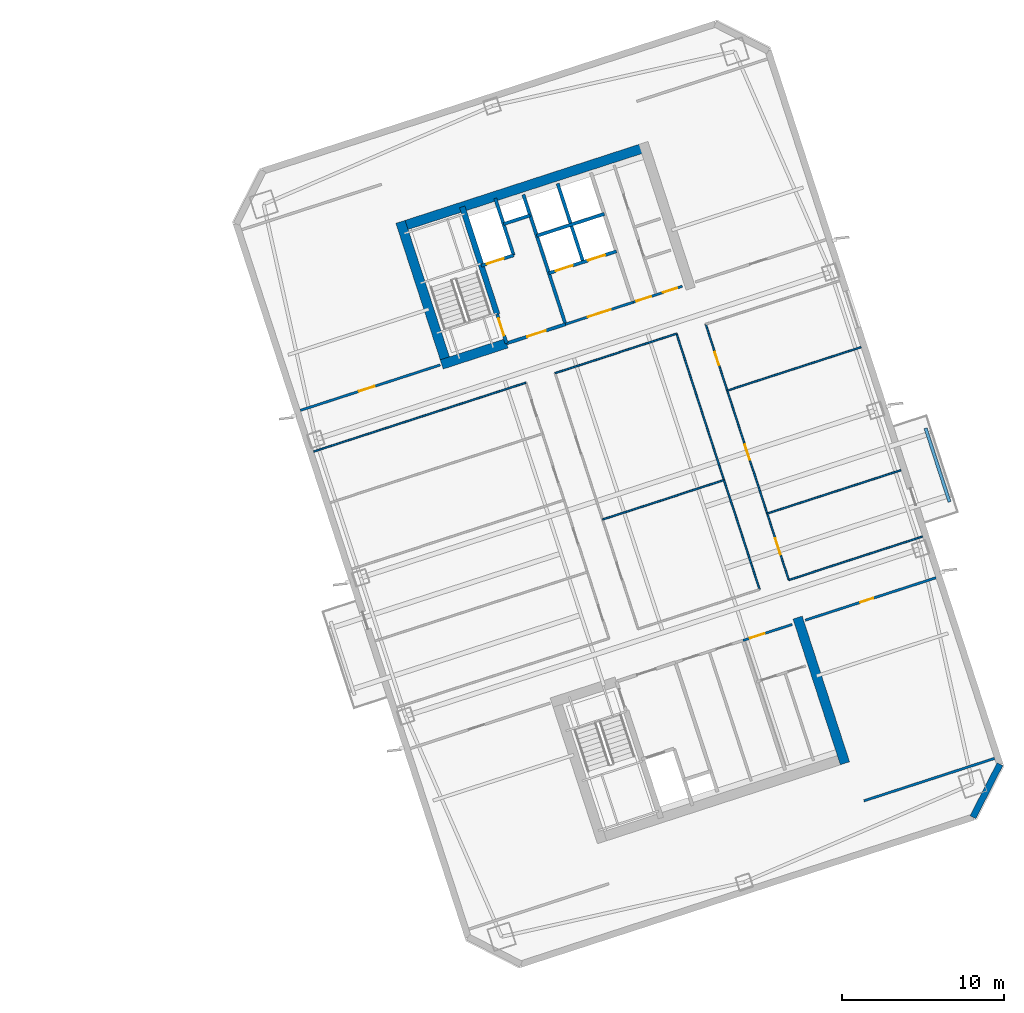
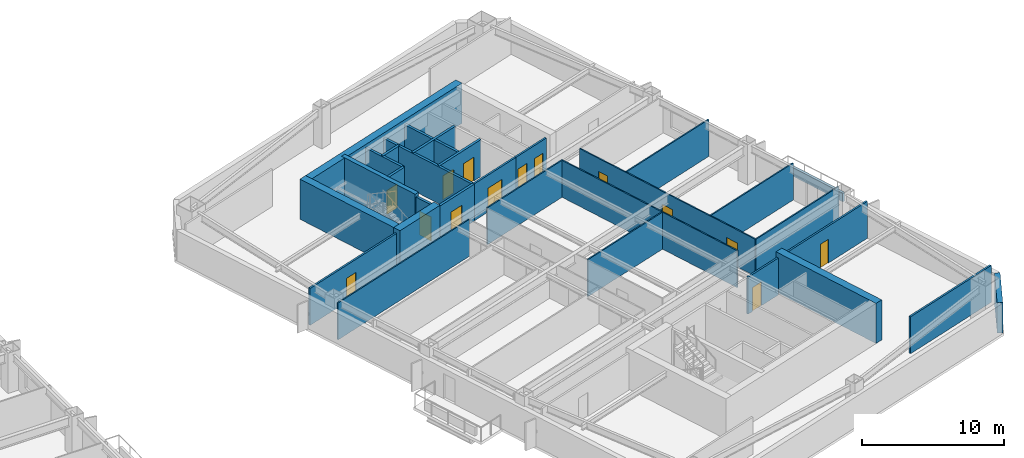
# One storey, part 8 of 16: 30 walls, 14 doors, 14 openings.
"""IFC4 building model written with IfcOpenShell, lengths in metres."""

import ifcopenshell
import ifcopenshell.guid

model = None  # the IFC model being written
_history = None  # IfcOwnerHistory: only IFC2X3 demands one
_inside = {}  # id of a spatial element -> (the spatial element, [elements in it])
_under = {}  # id of a project, library or spatial element -> (it, [spatial elements below it])
_declared = {}  # id of a project -> (the project, [libraries it declares])
_typed = {}  # id of a type object -> (the type object, [elements of that type])
_made_of = {}  # id of a material, layer set ... -> (it, [elements and type objects made of it])


def new_model(schema):
    """Start an empty IFC model of exactly this schema.

    Asked for "IFC4X3", IfcOpenShell would pick the latest addendum, in which some entities
    have other attributes; the version numbers below select the first issue.
    IFC2X3 requires an IfcOwnerHistory on every rooted entity: one is made here for all.
    """
    global model, _history
    if schema == "IFC4X3":
        model = ifcopenshell.file(schema_version=(4, 3, 0, 0))
    else:
        model = ifcopenshell.file(schema=schema)
    _inside.clear()
    _under.clear()
    _declared.clear()
    _typed.clear()
    _made_of.clear()
    _history = None
    if model.schema == "IFC2X3":
        org = make("IfcOrganization", Name="unknown")
        user = make(
            "IfcPersonAndOrganization",
            ThePerson=make("IfcPerson", FamilyName="unknown"),
            TheOrganization=org,
        )
        app = make(
            "IfcApplication",
            ApplicationDeveloper=org,
            Version="unknown",
            ApplicationFullName="unknown",
            ApplicationIdentifier="unknown",
        )
        _history = make(
            "IfcOwnerHistory",
            OwningUser=user,
            OwningApplication=app,
            ChangeAction="ADDED",
            CreationDate=0,
        )
    return model


def make(cls, **values):
    """One entity of the class cls with the attributes given. An attribute that is None is left unset."""
    return model.create_entity(
        cls, **{name: value for name, value in values.items() if value is not None}
    )


def rooted(cls, **values):
    """An entity with a GlobalId (a new one), such as an element, a storey or a relation."""
    return make(cls, GlobalId=ifcopenshell.guid.new(), OwnerHistory=_history, **values)


def si_unit(unit_type, name, prefix=None):
    """IfcSIUnit, for example si_unit("LENGTHUNIT", "METRE", prefix="MILLI")."""
    return make("IfcSIUnit", UnitType=unit_type, Prefix=prefix, Name=name)


def assignment(units):
    """IfcUnitAssignment: the units of a project."""
    return None if units is None else make("IfcUnitAssignment", Units=units)


def point(xyz):
    """IfcCartesianPoint."""
    return None if xyz is None else make("IfcCartesianPoint", Coordinates=xyz)


def direction(xyz):
    """IfcDirection."""
    return None if xyz is None else make("IfcDirection", DirectionRatios=xyz)


def frame(location, z_axis=None, x_axis=None):
    """IfcAxis2Placement3D, a coordinate frame: its origin and axes. An axis left out is left unset."""
    return make(
        "IfcAxis2Placement3D",
        Location=point(location),
        Axis=direction(z_axis),
        RefDirection=direction(x_axis),
    )


def frame_2d(location, x_axis=None):
    """IfcAxis2Placement2D, a coordinate frame in the plane: its origin and x axis."""
    return make(
        "IfcAxis2Placement2D", Location=point(location), RefDirection=direction(x_axis)
    )


def origin():
    """The frame at (0, 0, 0) with its axes left unset."""
    return frame((0.0, 0.0, 0.0))


def place(relative_to, where):
    """IfcLocalPlacement: puts the frame where relative to a parent placement (None: the world)."""
    return make(
        "IfcLocalPlacement", PlacementRelTo=relative_to, RelativePlacement=where
    )


def context(
    kind, dimensions, precision=None, world=None, true_north=None, identifier=None
):
    """IfcGeometricRepresentationContext, for example the 3D "Model" context."""
    return make(
        "IfcGeometricRepresentationContext",
        ContextIdentifier=identifier,
        ContextType=kind,
        CoordinateSpaceDimension=dimensions,
        Precision=precision,
        WorldCoordinateSystem=world,
        TrueNorth=true_north,
    )


def subcontext(parent, identifier, kind, view, scale=None):
    """IfcGeometricRepresentationSubContext, for example "Body" below "Model"."""
    return make(
        "IfcGeometricRepresentationSubContext",
        ContextIdentifier=identifier,
        ContextType=kind,
        ParentContext=parent,
        TargetScale=scale,
        TargetView=view,
    )


def project(units=None, contexts=None):
    """IfcProject with its units and contexts."""
    return rooted(
        "IfcProject",
        Name="project",
        RepresentationContexts=contexts,
        UnitsInContext=assignment(units),
    )


def spatial(cls, under=None, at=None, **own):
    """A site, building, storey or space (cls), placed at a placement, below another one or the project."""
    s = rooted(cls, ObjectPlacement=at, **own)
    if under is not None:
        _under.setdefault(under.id(), (under, []))[1].append(s)
    return s


def profile(cls, at=None, kind="AREA", **sizes):
    """A parametric profile (cls). Its sizes go by their IFC names, for example OverallWidth=200.0."""
    return make(cls, ProfileType=kind, Position=at, **sizes)


def rectangle(**sizes):
    """IfcRectangleProfileDef."""
    return profile("IfcRectangleProfileDef", **sizes)


def extrude(swept, where, along, depth):
    """IfcExtrudedAreaSolid: the profile swept, set in the frame where, extruded along a direction by depth."""
    return make(
        "IfcExtrudedAreaSolid",
        SweptArea=swept,
        Position=where,
        ExtrudedDirection=direction(along),
        Depth=depth,
    )


def shape(context_of_items, identifier, shape_type, items):
    """IfcShapeRepresentation: the items that make up one representation, for example the "Body"."""
    return make(
        "IfcShapeRepresentation",
        ContextOfItems=context_of_items,
        RepresentationIdentifier=identifier,
        RepresentationType=shape_type,
        Items=items,
    )


def material(Name=None, Category=None):
    """IfcMaterial."""
    return make("IfcMaterial", Name=Name, Category=Category)


def layer(
    of_material, thickness, ventilated=None, Name=None, Category=None, Priority=None
):
    """IfcMaterialLayer: one layer of a wall or slab, of a material (None: an air gap)."""
    return make(
        "IfcMaterialLayer",
        Material=of_material,
        LayerThickness=thickness,
        IsVentilated=ventilated,
        Name=Name,
        Category=Category,
        Priority=Priority,
    )


def layer_set(layers, Name=None):
    """IfcMaterialLayerSet."""
    return make("IfcMaterialLayerSet", MaterialLayers=layers, LayerSetName=Name)


def made_of(thing, what):
    """Note that an element or type object is made of a material, layer set ...; save() writes the relation."""
    if what is not None:
        _made_of.setdefault(what.id(), (what, []))[1].append(thing)
    return thing


def type_object(cls, material=None, **own):
    """A type object (cls), such as IfcWallType, which elements share."""
    return made_of(rooted(cls, **own), material)


def element(
    cls,
    number,
    at=None,
    inside=None,
    cuts=None,
    type_object=None,
    material=None,
    context=None,
    identifier="Body",
    shape_type=None,
    held_by="IfcProductDefinitionShape",
    body=None,
    shapes=None,
    **own,
):
    """One element of the class cls, such as IfcWall. Its Tag is "e" and its number.

    at: its placement. inside: the storey or other place that contains it. cuts: it is an
    opening in that element (IfcRelVoidsElement). A single representation is given by context,
    identifier, shape_type and body (its items); several are given by shapes. held_by: the class
    of the entity that holds the representations. save() writes the other relations.
    """
    e = rooted(cls, Tag="e%d" % number, ObjectPlacement=at, **own)
    if body is not None:
        shapes = [shape(context, identifier, shape_type, body)]
    if shapes is not None:
        e.Representation = make(held_by, Representations=shapes)
    if inside is not None:
        _inside.setdefault(inside.id(), (inside, []))[1].append(e)
    if cuts is not None:
        rooted(
            "IfcRelVoidsElement", RelatingBuildingElement=cuts, RelatedOpeningElement=e
        )
    if type_object is not None:
        _typed.setdefault(type_object.id(), (type_object, []))[1].append(e)
    return made_of(e, material)


def fill(opening, filler):
    """IfcRelFillsElement: the door or window that sits in an opening."""
    return rooted(
        "IfcRelFillsElement",
        RelatingOpeningElement=opening,
        RelatedBuildingElement=filler,
    )


def aggregate(whole, parts):
    """IfcRelAggregates: a whole, such as a stair, and the parts it consists of."""
    return rooted("IfcRelAggregates", RelatingObject=whole, RelatedObjects=parts)


def save(model, path):
    """Write the relations noted so far, then the file.

    IfcRelAggregates (storeys below a building ...), IfcRelContainedInSpatialStructure (elements
    in a storey), IfcRelDefinesByType, IfcRelAssociatesMaterial and IfcRelDeclares: one each for
    every whole, place, type object, material and project.
    """
    for whole, parts in _under.values():
        aggregate(whole, parts)
    for where, things in _inside.values():
        rooted(
            "IfcRelContainedInSpatialStructure",
            RelatedElements=things,
            RelatingStructure=where,
        )
    for kind, things in _typed.values():
        rooted("IfcRelDefinesByType", RelatedObjects=things, RelatingType=kind)
    for what, things in _made_of.values():
        rooted("IfcRelAssociatesMaterial", RelatedObjects=things, RelatingMaterial=what)
    for by, libraries in _declared.values():
        rooted("IfcRelDeclares", RelatingContext=by, RelatedDefinitions=libraries)
    model.write(path)


model = new_model("IFC4")

# Units and contexts
model_context = context("Model", 3, precision=1e-05, world=origin(), true_north=direction((0.0, 1.0)))
body_context = subcontext(model_context, "Body", "Model", "MODEL_VIEW")
ifc_project = project(units=[si_unit("LENGTHUNIT", "METRE"), si_unit("AREAUNIT", "SQUARE_METRE"), si_unit("VOLUMEUNIT", "CUBIC_METRE"), si_unit("PLANEANGLEUNIT", "RADIAN"), si_unit("MASSUNIT", "GRAM", prefix="KILO")], contexts=[model_context])

# Site, building, storey
site_placement = place(None, origin())
site = spatial("IfcSite", under=ifc_project, at=site_placement, CompositionType="ELEMENT")
building_placement = place(site_placement, origin())
building = spatial("IfcBuilding", under=site, at=building_placement, Name="Qiaolan Cultural Towers", CompositionType="ELEMENT")
storey_placement = place(building_placement, frame((0.0, 0.0, 110.39990234375)))
storey = spatial("IfcBuildingStorey", under=building, at=storey_placement, Name="L28", CompositionType="ELEMENT", Elevation=110.39990234375)

# Walls
ifc_material_1 = material(Name="Concrete C50", Category="concrete")
ifc_layer_1 = layer(ifc_material_1, 0.35009765625)
ifc_layer_set_1 = layer_set([ifc_layer_1], Name="Concrete C50")
wall_type_1 = type_object("IfcWallType", Name="WL-CORE-350", PredefinedType="SHEAR", material=ifc_layer_set_1)
wall_1_placement = place(storey_placement, frame((82.513671875, 45.13134765625, 0.0), z_axis=(0.0, 0.0, 1.0), x_axis=(-0.308988790936, 0.951065679686, 0.0)))
element("IfcWall", 1, at=wall_1_placement, inside=storey, type_object=wall_type_1, Name="L28 T2-CN Stair Core Dividing Web", PredefinedType="SHEAR", context=body_context, shape_type="SweptSolid", body=[
    extrude(rectangle(XDim=6.97998046875, YDim=0.35009765625, at=frame_2d((3.489990234375, 0.0))), origin(), (0.0, 0.0, 1.0), 3.4501953125),
])
ifc_material_2 = material(Name="Concrete C55", Category="concrete")
ifc_layer_2 = layer(ifc_material_2, 0.60009765625)
ifc_layer_set_2 = layer_set([ifc_layer_2], Name="Concrete C55")
wall_type_2 = type_object("IfcWallType", Name="WL-CORE-600", PredefinedType="SHEAR", material=ifc_layer_set_2)
wall_2_placement = place(storey_placement, frame((101.105224609375, 26.357666015625, 0.0), z_axis=(0.0, 0.0, 1.0), x_axis=(0.309010370028, -0.95105866865, 0.0)))
element("IfcWall", 2, at=wall_2_placement, inside=storey, type_object=wall_type_2, Name="L28 T2-CS East Core Shear Wall", PredefinedType="SHEAR", context=body_context, shape_type="SweptSolid", body=[
    extrude(rectangle(XDim=9.47998046875, YDim=0.60009765625, at=frame_2d((4.739990234375, 0.0))), origin(), (0.0, 0.0, 1.0), 3.4501953125),
])
wall_3_placement = place(storey_placement, frame((76.343505859375, 50.4658203125, 0.0), z_axis=(0.0, 0.0, 1.0), x_axis=(0.951055727519, 0.309019421968, 0.0)))
element("IfcWall", 3, at=wall_3_placement, inside=storey, type_object=wall_type_2, Name="L28 T2-CN Outer Core Shear Wall", PredefinedType="SHEAR", context=body_context, shape_type="SweptSolid", body=[
    extrude(rectangle(XDim=16.39990234375, YDim=0.60009765625, at=frame_2d((8.199951171875, 0.0))), origin(), (0.0, 0.0, 1.0), 3.4501953125),
])
wall_4_placement = place(storey_placement, frame((79.465576171875, 41.827880859375, 0.0), z_axis=(0.0, 0.0, 1.0), x_axis=(-0.309041232772, 0.951048640421, 0.0)))
element("IfcWall", 4, at=wall_4_placement, inside=storey, type_object=wall_type_2, Name="L28 T2-CN West Core Shear Wall", PredefinedType="SHEAR", context=body_context, shape_type="SweptSolid", body=[
    extrude(rectangle(XDim=9.47998046875, YDim=0.60009765625, at=frame_2d((4.739990234375, 0.0))), origin(), (0.0, 0.0, 1.0), 3.4501953125),
])
wall_5_placement = place(storey_placement, frame((79.08740234375, 42.0205078125, 0.0), z_axis=(0.0, 0.0, 1.0), x_axis=(0.951062550203, 0.3089984233, 0.0)))
element("IfcWall", 5, at=wall_5_placement, inside=storey, type_object=wall_type_2, Name="L28 T2-CN Stair Front Shear Wall", PredefinedType="SHEAR", context=body_context, shape_type="SweptSolid", body=[
    extrude(rectangle(XDim=4.219970703125, YDim=0.60009765625, at=frame_2d((2.10986328125, 0.0))), origin(), (0.0, 0.0, 1.0), 3.4501953125),
])
ifc_material_3 = material(Name="Precast Concrete C50 Honed Stone Pier", Category="masonry")
ifc_layer_3 = layer(ifc_material_3, 0.39990234375)
ifc_layer_set_3 = layer_set([ifc_layer_3], Name="Precast Concrete C50 Honed Stone Pier")
wall_type_3 = type_object("IfcWallType", Name="WL-EXT-PIER-400", PredefinedType="SOLIDWALL", material=ifc_layer_set_3)
wall_6_placement = place(storey_placement, frame((113.62255859375, 17.281494140625, 0.0), z_axis=(0.0, 0.0, 1.0), x_axis=(-0.454026238093, -0.890988313685, 0.0)))
element("IfcWall", 6, at=wall_6_placement, inside=storey, type_object=wall_type_3, Name="L28 East Tower Precast Pier Facade Wall F6", PredefinedType="SOLIDWALL", context=body_context, shape_type="SweptSolid", body=[
    extrude(rectangle(XDim=3.677001953125, YDim=0.39990234375, at=frame_2d((1.83837890625, 0.0))), origin(), (0.0, 0.0, 1.0), 2.610107421875),
])

# Wall, opening, door
ifc_material_4 = material(Name="Concrete C35 Fire Wall", Category="concrete")
ifc_layer_4 = layer(ifc_material_4, 0.199951171875)
ifc_layer_set_4 = layer_set([ifc_layer_4], Name="Concrete C35 Fire Wall")
wall_type_4 = type_object("IfcWallType", Name="WL-FIRE-200", PredefinedType="PARTITIONING", material=ifc_layer_set_4)
wall_7_placement = place(storey_placement, frame((83.100830078125, 43.324462890625, 0.0), z_axis=(0.0, 0.0, 1.0), x_axis=(-0.309048298632, 0.951046344356, 0.0)))
wall_7 = element("IfcWall", 7, at=wall_7_placement, inside=storey, type_object=wall_type_4, Name="L28 T2-CN Smokeproof Stair Entry Wall", PredefinedType="PARTITIONING", context=body_context, shape_type="SweptSolid", body=[
    extrude(rectangle(XDim=1.89990234375, YDim=0.199951171875, at=frame_2d((0.949951171875, 0.0))), origin(), (0.0, 0.0, 1.0), 3.175048828125),
])
opening_1_placement = place(wall_7_placement, frame((0.52001953125, 0.0, 0.0)))
opening_1 = element("IfcOpeningElement", 8, at=opening_1_placement, cuts=wall_7, Name="Opening FD-04", PredefinedType="OPENING", context=body_context, shape_type="SweptSolid", body=[
    extrude(rectangle(XDim=1.10009765625, YDim=2.050048828125, at=frame_2d((0.550048828125, 1.02490234375))), frame((0.0, 0.10986328125, 0.0), z_axis=(0.0, -1.0, 0.0), x_axis=(1.0, 0.0, 0.0)), (0.0, 0.0, 1.0), 0.219970703125),
])
ifc_material_5 = material(Name="Galvanized Steel Command Fire Door", Category="steel")
door_type_1 = type_object("IfcDoorType", Name="DR-FD90-1100", OperationType="NOTDEFINED", PredefinedType="DOOR", material=ifc_material_5)
door_1_placement = place(opening_1_placement, origin())
door_1 = element("IfcDoor", 9, at=door_1_placement, inside=storey, type_object=door_type_1, Name="L28 ST-E2 Smokeproof Stair Fire Door", OperationType="SINGLE_SWING_LEFT", OverallHeight=2.050048828125, OverallWidth=1.10009765625, PredefinedType="DOOR", context=body_context, shape_type="SweptSolid", body=[
    extrude(rectangle(XDim=1.10009765625, YDim=2.050048828125, at=frame_2d((0.550048828125, 1.02490234375))), frame((0.0, 0.02490234375, 0.0), z_axis=(0.0, -1.0, 0.0), x_axis=(1.0, 0.0, 0.0)), (0.0, 0.0, 1.0), 0.050048828125),
])
fill(opening_1, door_1)

# Wall
wall_8_placement = place(storey_placement, frame((86.743408203125, 44.508056640625, 0.0), z_axis=(0.0, 0.0, 1.0), x_axis=(-0.309016001439, 0.951056838919, 0.0)))
element("IfcWall", 10, at=wall_8_placement, inside=storey, type_object=wall_type_4, Name="L28 T2-CN Firefighting Zone Wall", PredefinedType="PARTITIONING", context=body_context, shape_type="SweptSolid", body=[
    extrude(rectangle(XDim=8.429931640625, YDim=0.199951171875, at=frame_2d((4.21484375, 0.0))), origin(), (0.0, 0.0, 1.0), 3.175048828125),
])

# Wall, opening, door
wall_9_placement = place(storey_placement, frame((83.100830078125, 43.324462890625, 0.0), z_axis=(0.0, 0.0, 1.0), x_axis=(0.951052804469, 0.309028417967, 0.0)))
wall_9 = element("IfcWall", 11, at=wall_9_placement, inside=storey, type_object=wall_type_4, Name="L28 T2-CN Firefighting Lobby Front Wall", PredefinedType="PARTITIONING", context=body_context, shape_type="SweptSolid", body=[
    extrude(rectangle(XDim=3.830078125, YDim=0.199951171875, at=frame_2d((1.9150390625, 0.0))), origin(), (0.0, 0.0, 1.0), 3.175048828125),
])
opening_2_placement = place(wall_9_placement, frame((1.35009765625, 0.0, 0.0)))
opening_2 = element("IfcOpeningElement", 12, at=opening_2_placement, cuts=wall_9, Name="Opening FD-03", PredefinedType="OPENING", context=body_context, shape_type="SweptSolid", body=[
    extrude(rectangle(XDim=1.199951171875, YDim=2.050048828125, at=frame_2d((0.60009765625, 1.02490234375))), frame((0.0, 0.10986328125, 0.0), z_axis=(0.0, -1.0, 0.0), x_axis=(1.0, 0.0, 0.0)), (0.0, 0.0, 1.0), 0.219970703125),
])
ifc_material_6 = material(Name="Galvanized Steel Smokeproof Lobby Fire Door", Category="steel")
door_type_2 = type_object("IfcDoorType", Name="DR-FD90-1200", OperationType="NOTDEFINED", PredefinedType="DOOR", material=ifc_material_6)
door_2_placement = place(opening_2_placement, origin())
door_2 = element("IfcDoor", 13, at=door_2_placement, inside=storey, type_object=door_type_2, Name="L28 FFL-E2 Firefighting Lobby Fire Door", OperationType="SINGLE_SWING_LEFT", OverallHeight=2.050048828125, OverallWidth=1.199951171875, PredefinedType="DOOR", context=body_context, shape_type="SweptSolid", body=[
    extrude(rectangle(XDim=1.199951171875, YDim=2.050048828125, at=frame_2d((0.60009765625, 1.02490234375))), frame((0.0, 0.02490234375, 0.0), z_axis=(0.0, -1.0, 0.0), x_axis=(1.0, 0.0, 0.0)), (0.0, 0.0, 1.0), 0.050048828125),
])
fill(opening_2, door_2)

wall_10_placement = place(storey_placement, frame((81.540283203125, 48.127197265625, 0.0), z_axis=(0.0, 0.0, 1.0), x_axis=(0.951062257173, 0.308999325213, 0.0)))
wall_10 = element("IfcWall", 14, at=wall_10_placement, inside=storey, type_object=wall_type_4, Name="L28 T2-CN Firefighting Shaft Front Wall", PredefinedType="PARTITIONING", context=body_context, shape_type="SweptSolid", body=[
    extrude(rectangle(XDim=2.10009765625, YDim=0.199951171875, at=frame_2d((1.050048828125, 0.0))), origin(), (0.0, 0.0, 1.0), 3.175048828125),
])
opening_3_placement = place(wall_10_placement, frame((0.35009765625, 0.0, 0.0)))
opening_3 = element("IfcOpeningElement", 15, at=opening_3_placement, cuts=wall_10, Name="Opening LD-01", PredefinedType="OPENING", context=body_context, shape_type="SweptSolid", body=[
    extrude(rectangle(XDim=1.10009765625, YDim=2.050048828125, at=frame_2d((0.550048828125, 1.02490234375))), frame((0.0, 0.10986328125, 0.0), z_axis=(0.0, -1.0, 0.0), x_axis=(1.0, 0.0, 0.0)), (0.0, 0.0, 1.0), 0.219970703125),
])
ifc_material_7 = material(Name="Brushed Stainless Steel S30408 Centre-Parting Lift Landing Door", Category="steel")
door_type_3 = type_object("IfcDoorType", Name="DR-LIFT-1100", OperationType="NOTDEFINED", PredefinedType="DOOR", material=ifc_material_7)
door_3_placement = place(opening_3_placement, origin())
door_3 = element("IfcDoor", 16, at=door_3_placement, inside=storey, type_object=door_type_3, Name="L28 FFL-E2 Firefighting Lift Landing Door", OperationType="DOUBLE_DOOR_SLIDING", OverallHeight=2.050048828125, OverallWidth=1.10009765625, PredefinedType="DOOR", context=body_context, shape_type="SweptSolid", body=[
    extrude(rectangle(XDim=1.10009765625, YDim=2.050048828125, at=frame_2d((0.550048828125, 1.02490234375))), frame((0.0, 0.02490234375, 0.0), z_axis=(0.0, -1.0, 0.0), x_axis=(1.0, 0.0, 0.0)), (0.0, 0.0, 1.0), 0.050048828125),
])
fill(opening_3, door_3)

# Walls
wall_11_placement = place(storey_placement, frame((83.53759765625, 48.776123046875, 0.0), z_axis=(0.0, 0.0, 1.0), x_axis=(-0.3089935693, 0.951064127245, 0.0)))
element("IfcWall", 17, at=wall_11_placement, inside=storey, type_object=wall_type_4, Name="L28 T2-CN Firefighting Hoistway East Wall", PredefinedType="PARTITIONING", context=body_context, shape_type="SweptSolid", body=[
    extrude(rectangle(XDim=3.7001953125, YDim=0.199951171875, at=frame_2d((1.85009765625, 0.0))), origin(), (0.0, 0.0, 1.0), 3.175048828125),
])
wall_12_placement = place(storey_placement, frame((82.910400390625, 50.706787109375, 0.0), z_axis=(0.0, 0.0, 1.0), x_axis=(0.951041328149, 0.309063734775, 0.0)))
element("IfcWall", 18, at=wall_12_placement, inside=storey, type_object=wall_type_4, Name="L28 T2-CN Pressurization Shaft Front Wall", PredefinedType="PARTITIONING", context=body_context, shape_type="SweptSolid", body=[
    extrude(rectangle(XDim=1.72998046875, YDim=0.199951171875, at=frame_2d((0.864990234375, 0.0))), origin(), (0.0, 0.0, 1.0), 3.175048828125),
])

# Wall, openings, doors
wall_13_placement = place(storey_placement, frame((85.717529296875, 47.66552734375, 0.0), z_axis=(0.0, 0.0, 1.0), x_axis=(0.951058531764, 0.30901079133, 0.0)))
wall_13 = element("IfcWall", 19, at=wall_13_placement, inside=storey, type_object=wall_type_4, Name="L28 T2-CN Passenger Lift Shaft Front Wall", PredefinedType="PARTITIONING", context=body_context, shape_type="SweptSolid", body=[
    extrude(rectangle(XDim=4.39990234375, YDim=0.199951171875, at=frame_2d((2.199951171875, 0.0))), origin(), (0.0, 0.0, 1.0), 3.175048828125),
])
opening_4_placement = place(wall_13_placement, frame((0.449951171875, 0.0, 0.0)))
opening_4 = element("IfcOpeningElement", 20, at=opening_4_placement, cuts=wall_13, Name="Opening LD-01", PredefinedType="OPENING", context=body_context, shape_type="SweptSolid", body=[
    extrude(rectangle(XDim=1.10009765625, YDim=2.050048828125, at=frame_2d((0.550048828125, 1.02490234375))), frame((0.0, 0.10986328125, 0.0), z_axis=(0.0, -1.0, 0.0), x_axis=(1.0, 0.0, 0.0)), (0.0, 0.0, 1.0), 0.219970703125),
])
opening_5_placement = place(wall_13_placement, frame((2.550048828125, 0.0, 0.0)))
opening_5 = element("IfcOpeningElement", 21, at=opening_5_placement, cuts=wall_13, Name="Opening LD-01", PredefinedType="OPENING", context=body_context, shape_type="SweptSolid", body=[
    extrude(rectangle(XDim=1.10009765625, YDim=2.050048828125, at=frame_2d((0.550048828125, 1.02490234375))), frame((0.0, 0.10986328125, 0.0), z_axis=(0.0, -1.0, 0.0), x_axis=(1.0, 0.0, 0.0)), (0.0, 0.0, 1.0), 0.219970703125),
])
door_4_placement = place(opening_4_placement, origin())
door_4 = element("IfcDoor", 22, at=door_4_placement, inside=storey, type_object=door_type_3, Name="L28 Passenger Lift 1 Landing Door", OperationType="DOUBLE_DOOR_SLIDING", OverallHeight=2.050048828125, OverallWidth=1.10009765625, PredefinedType="DOOR", context=body_context, shape_type="SweptSolid", body=[
    extrude(rectangle(XDim=1.10009765625, YDim=2.050048828125, at=frame_2d((0.550048828125, 1.02490234375))), frame((0.0, 0.02490234375, 0.0), z_axis=(0.0, -1.0, 0.0), x_axis=(1.0, 0.0, 0.0)), (0.0, 0.0, 1.0), 0.050048828125),
])
fill(opening_4, door_4)
door_5_placement = place(opening_5_placement, origin())
door_5 = element("IfcDoor", 23, at=door_5_placement, inside=storey, type_object=door_type_3, Name="L28 Passenger Lift 2 Landing Door", OperationType="DOUBLE_DOOR_SLIDING", OverallHeight=2.050048828125, OverallWidth=1.10009765625, PredefinedType="DOOR", context=body_context, shape_type="SweptSolid", body=[
    extrude(rectangle(XDim=1.10009765625, YDim=2.050048828125, at=frame_2d((0.550048828125, 1.02490234375))), frame((0.0, 0.02490234375, 0.0), z_axis=(0.0, -1.0, 0.0), x_axis=(1.0, 0.0, 0.0)), (0.0, 0.0, 1.0), 0.050048828125),
])
fill(opening_5, door_5)

# Walls
wall_14_placement = place(storey_placement, frame((87.83837890625, 48.3544921875, 0.0), z_axis=(0.0, 0.0, 1.0), x_axis=(-0.3090093719, 0.951058992953, 0.0)))
element("IfcWall", 24, at=wall_14_placement, inside=storey, type_object=wall_type_4, Name="L28 T2-CN Lift Shaft Divider Wall", PredefinedType="PARTITIONING", context=body_context, shape_type="SweptSolid", body=[
    extrude(rectangle(XDim=5.110107421875, YDim=0.199951171875, at=frame_2d((2.55517578125, 0.0))), origin(), (0.0, 0.0, 1.0), 3.175048828125),
])
wall_15_placement = place(storey_placement, frame((84.966552734375, 49.9765625, 0.0), z_axis=(0.0, 0.0, 1.0), x_axis=(0.951063829732, 0.308994485023, 0.0)))
element("IfcWall", 25, at=wall_15_placement, inside=storey, type_object=wall_type_4, Name="L28 T2-CN Passenger Lift Shaft Back Wall", PredefinedType="PARTITIONING", context=body_context, shape_type="SweptSolid", body=[
    extrude(rectangle(XDim=4.400146484375, YDim=0.199951171875, at=frame_2d((2.2001953125, 0.0))), origin(), (0.0, 0.0, 1.0), 3.175048828125),
])
ifc_material_8 = material(Name="Acoustic Double-Glazed Partition Frame", Category="glass")
ifc_layer_5 = layer(ifc_material_8, 0.10009765625)
ifc_layer_set_5 = layer_set([ifc_layer_5], Name="Acoustic Double-Glazed Partition Frame")
wall_type_5 = type_object("IfcWallType", Name="WL-GLAZED-100", PredefinedType="MOVABLE", material=ifc_layer_set_5)
wall_16_placement = place(storey_placement, frame((100.559814453125, 28.682861328125, 0.0), z_axis=(0.0, 0.0, 1.0), x_axis=(0.951055307445, 0.309020714809, 0.0)))
element("IfcWall", 26, at=wall_16_placement, inside=storey, type_object=wall_type_5, Name="L28 T2 Interior Wall", PredefinedType="MOVABLE", context=body_context, shape_type="SweptSolid", body=[
    extrude(rectangle(XDim=8.699951171875, YDim=0.10009765625, at=frame_2d((4.35009765625, 0.0))), origin(), (0.0, 0.0, 1.0), 3.175048828125),
])
wall_17_placement = place(storey_placement, frame((71.166015625, 36.628662109375, 0.0), z_axis=(0.0, 0.0, 1.0), x_axis=(0.951056688031, 0.309016465825, 0.0)))
element("IfcWall", 27, at=wall_17_placement, inside=storey, type_object=wall_type_5, Name="L28 T2 Interior Wall", PredefinedType="MOVABLE", context=body_context, shape_type="SweptSolid", body=[
    extrude(rectangle(XDim=13.7998046875, YDim=0.10009765625, at=frame_2d((6.89990234375, 0.0))), origin(), (0.0, 0.0, 1.0), 3.175048828125),
])
wall_18_placement = place(storey_placement, frame((86.097412109375, 41.480224609375, 0.0), z_axis=(0.0, 0.0, 1.0), x_axis=(0.951060182336, 0.309005711233, 0.0)))
element("IfcWall", 28, at=wall_18_placement, inside=storey, type_object=wall_type_5, Name="L28 T2 Interior Wall", PredefinedType="MOVABLE", context=body_context, shape_type="SweptSolid", body=[
    extrude(rectangle(XDim=7.900146484375, YDim=0.10009765625, at=frame_2d((3.9501953125, 0.0))), origin(), (0.0, 0.0, 1.0), 3.175048828125),
])
wall_19_placement = place(storey_placement, frame((98.7529296875, 28.095703125, 0.0), z_axis=(0.0, 0.0, 1.0), x_axis=(-0.30901773025, 0.951056277195, 0.0)))
element("IfcWall", 29, at=wall_19_placement, inside=storey, type_object=wall_type_5, Name="L28 T2 Interior Wall", PredefinedType="MOVABLE", context=body_context, shape_type="SweptSolid", body=[
    extrude(rectangle(XDim=16.64013671875, YDim=0.10009765625, at=frame_2d((8.320068359375, 0.0))), origin(), (0.0, 0.0, 1.0), 3.175048828125),
])

# Wall, openings, doors
wall_20_placement = place(storey_placement, frame((100.559814453125, 28.682861328125, 0.0), z_axis=(0.0, 0.0, 1.0), x_axis=(-0.309004459387, 0.951060589068, 0.0)))
wall_20 = element("IfcWall", 30, at=wall_20_placement, inside=storey, type_object=wall_type_5, Name="L28 T2 Interior Wall", PredefinedType="MOVABLE", context=body_context, shape_type="SweptSolid", body=[
    extrude(rectangle(XDim=16.64013671875, YDim=0.10009765625, at=frame_2d((8.320068359375, 0.0))), origin(), (0.0, 0.0, 1.0), 3.175048828125),
])
opening_6_placement = place(wall_20_placement, frame((1.659912109375, 0.0, 0.0)))
opening_6 = element("IfcOpeningElement", 31, at=opening_6_placement, cuts=wall_20, Name="Opening ID-07", PredefinedType="OPENING", context=body_context, shape_type="SweptSolid", body=[
    extrude(rectangle(XDim=1.050048828125, YDim=2.050048828125, at=frame_2d((0.52490234375, 1.02490234375))), frame((0.0, 0.06005859375, 0.0), z_axis=(0.0, -1.0, 0.0), x_axis=(1.0, 0.0, 0.0)), (0.0, 0.0, 1.0), 0.1201171875),
])
opening_7_placement = place(wall_20_placement, frame((7.820068359375, 0.0, 0.0)))
opening_7 = element("IfcOpeningElement", 32, at=opening_7_placement, cuts=wall_20, Name="Opening ID-04", PredefinedType="OPENING", context=body_context, shape_type="SweptSolid", body=[
    extrude(rectangle(XDim=1.0, YDim=2.050048828125, at=frame_2d((0.5, 1.02490234375))), frame((0.0, 0.06005859375, 0.0), z_axis=(0.0, -1.0, 0.0), x_axis=(1.0, 0.0, 0.0)), (0.0, 0.0, 1.0), 0.1201171875),
])
opening_8_placement = place(wall_20_placement, frame((13.97998046875, 0.0, 0.0)))
opening_8 = element("IfcOpeningElement", 33, at=opening_8_placement, cuts=wall_20, Name="Opening ID-09", PredefinedType="OPENING", context=body_context, shape_type="SweptSolid", body=[
    extrude(rectangle(XDim=0.85009765625, YDim=2.050048828125, at=frame_2d((0.425048828125, 1.02490234375))), frame((0.0, 0.06005859375, 0.0), z_axis=(0.0, -1.0, 0.0), x_axis=(1.0, 0.0, 0.0)), (0.0, 0.0, 1.0), 0.1201171875),
])
ifc_material_9 = material(Name="Oak Veneer Acoustic Office Door", Category="timber")
door_type_4 = type_object("IfcDoorType", Name="DR-INT-1000", OperationType="NOTDEFINED", PredefinedType="DOOR", material=ifc_material_9)
door_6_placement = place(opening_7_placement, origin())
door_6 = element("IfcDoor", 34, at=door_6_placement, inside=storey, type_object=door_type_4, Name="L28 T2 Client Boardroom Door", OperationType="SINGLE_SWING_LEFT", OverallHeight=2.050048828125, OverallWidth=1.0, PredefinedType="DOOR", context=body_context, shape_type="SweptSolid", body=[
    extrude(rectangle(XDim=1.0, YDim=2.050048828125, at=frame_2d((0.5, 1.02490234375))), frame((0.0, 0.02490234375, 0.0), z_axis=(0.0, -1.0, 0.0), x_axis=(1.0, 0.0, 0.0)), (0.0, 0.0, 1.0), 0.050048828125),
])
fill(opening_7, door_6)
ifc_material_10 = material(Name="Oak Veneer Consultation Door", Category="timber")
door_type_5 = type_object("IfcDoorType", Name="DR-INT-1050", OperationType="NOTDEFINED", PredefinedType="DOOR", material=ifc_material_10)
door_7_placement = place(opening_6_placement, origin())
door_7 = element("IfcDoor", 35, at=door_7_placement, inside=storey, type_object=door_type_5, Name="L28 T2 Client Boardroom Door", OperationType="SINGLE_SWING_RIGHT", OverallHeight=2.050048828125, OverallWidth=1.050048828125, PredefinedType="DOOR", context=body_context, shape_type="SweptSolid", body=[
    extrude(rectangle(XDim=1.050048828125, YDim=2.050048828125, at=frame_2d((0.52490234375, 1.02490234375))), frame((0.0, 0.02490234375, 0.0), z_axis=(0.0, -1.0, 0.0), x_axis=(1.0, 0.0, 0.0)), (0.0, 0.0, 1.0), 0.050048828125),
])
fill(opening_6, door_7)
ifc_material_11 = material(Name="Moisture-Resistant Laminate Utility Door", Category="timber")
door_type_6 = type_object("IfcDoorType", Name="DR-INT-850", OperationType="NOTDEFINED", PredefinedType="DOOR", material=ifc_material_11)
door_8_placement = place(opening_8_placement, origin())
door_8 = element("IfcDoor", 36, at=door_8_placement, inside=storey, type_object=door_type_6, Name="L28 T2 Reception Lounge Door", OperationType="SINGLE_SWING_RIGHT", OverallHeight=2.050048828125, OverallWidth=0.85009765625, PredefinedType="DOOR", context=body_context, shape_type="SweptSolid", body=[
    extrude(rectangle(XDim=0.85009765625, YDim=2.050048828125, at=frame_2d((0.425048828125, 1.02490234375))), frame((0.0, 0.02490234375, 0.0), z_axis=(0.0, -1.0, 0.0), x_axis=(1.0, 0.0, 0.0)), (0.0, 0.0, 1.0), 0.050048828125),
])
fill(opening_8, door_8)

# Walls
wall_21_placement = place(storey_placement, frame((89.039306640625, 32.426025390625, 0.0), z_axis=(0.0, 0.0, 1.0), x_axis=(0.951051099951, 0.309033663672, 0.0)))
element("IfcWall", 37, at=wall_21_placement, inside=storey, type_object=wall_type_5, Name="L28 T2 Interior Wall", PredefinedType="MOVABLE", context=body_context, shape_type="SweptSolid", body=[
    extrude(rectangle(XDim=7.900146484375, YDim=0.10009765625, at=frame_2d((3.9501953125, 0.0))), origin(), (0.0, 0.0, 1.0), 3.175048828125),
])
wall_22_placement = place(storey_placement, frame((99.224853515625, 32.79150390625, 0.0), z_axis=(0.0, 0.0, 1.0), x_axis=(0.951055307445, 0.309020714809, 0.0)))
element("IfcWall", 38, at=wall_22_placement, inside=storey, type_object=wall_type_5, Name="L28 T2 Interior Wall", PredefinedType="MOVABLE", context=body_context, shape_type="SweptSolid", body=[
    extrude(rectangle(XDim=8.699951171875, YDim=0.10009765625, at=frame_2d((4.35009765625, 0.0))), origin(), (0.0, 0.0, 1.0), 3.175048828125),
])
wall_23_placement = place(storey_placement, frame((96.752685546875, 40.39990234375, 0.0), z_axis=(0.0, 0.0, 1.0), x_axis=(0.951057987102, 0.309012467661, 0.0)))
element("IfcWall", 39, at=wall_23_placement, inside=storey, type_object=wall_type_5, Name="L28 T2 Interior Wall", PredefinedType="MOVABLE", context=body_context, shape_type="SweptSolid", body=[
    extrude(rectangle(XDim=8.7001953125, YDim=0.10009765625, at=frame_2d((4.35009765625, 0.0))), origin(), (0.0, 0.0, 1.0), 3.175048828125),
])

# Wall, opening, door
ifc_material_12 = material(Name="Autoclaved Aerated Concrete Block B06", Category="concrete")
ifc_layer_6 = layer(ifc_material_12, 0.14990234375)
ifc_layer_set_6 = layer_set([ifc_layer_6], Name="Autoclaved Aerated Concrete Block B06")
wall_type_6 = type_object("IfcWallType", Name="WL-PART-150", PredefinedType="PARTITIONING", material=ifc_layer_set_6)
wall_24_placement = place(storey_placement, frame((97.7265625, 24.9443359375, 0.0), z_axis=(0.0, 0.0, 1.0), x_axis=(0.951036872128, 0.309077446369, 0.0)))
wall_24 = element("IfcWall", 40, at=wall_24_placement, inside=storey, type_object=wall_type_6, Name="L28 T2-CS Sanitary Core Front Wall", PredefinedType="PARTITIONING", context=body_context, shape_type="SweptSolid", body=[
    extrude(rectangle(XDim=3.199951171875, YDim=0.14990234375, at=frame_2d((1.60009765625, 0.0))), origin(), (0.0, 0.0, 1.0), 3.175048828125),
])
opening_9_placement = place(wall_24_placement, frame((0.449951171875, 0.0, 0.0)))
opening_9 = element("IfcOpeningElement", 41, at=opening_9_placement, cuts=wall_24, Name="Opening ID-05", PredefinedType="OPENING", context=body_context, shape_type="SweptSolid", body=[
    extrude(rectangle(XDim=0.949951171875, YDim=2.050048828125, at=frame_2d((0.47509765625, 1.02490234375))), frame((0.0, 0.0849609375, 0.0), z_axis=(0.0, -1.0, 0.0), x_axis=(1.0, 0.0, 0.0)), (0.0, 0.0, 1.0), 0.169921875),
])
ifc_material_13 = material(Name="Fire-Rated Laminate Accessible Core Door", Category="timber")
door_type_7 = type_object("IfcDoorType", Name="DR-INT-950", OperationType="NOTDEFINED", PredefinedType="DOOR", material=ifc_material_13)
door_9_placement = place(opening_9_placement, origin())
door_9 = element("IfcDoor", 42, at=door_9_placement, inside=storey, type_object=door_type_7, Name="L28 Sanitary Vestibule Door", OperationType="SINGLE_SWING_LEFT", OverallHeight=2.050048828125, OverallWidth=0.949951171875, PredefinedType="DOOR", context=body_context, shape_type="SweptSolid", body=[
    extrude(rectangle(XDim=0.949951171875, YDim=2.050048828125, at=frame_2d((0.47509765625, 1.02490234375))), frame((0.0, 0.02490234375, 0.0), z_axis=(0.0, -1.0, 0.0), x_axis=(1.0, 0.0, 0.0)), (0.0, 0.0, 1.0), 0.050048828125),
])
fill(opening_9, door_9)

wall_25_placement = place(storey_placement, frame((86.743408203125, 44.508056640625, 0.0), z_axis=(0.0, 0.0, 1.0), x_axis=(0.951063829732, 0.308994485023, 0.0)))
wall_25 = element("IfcWall", 43, at=wall_25_placement, inside=storey, type_object=wall_type_6, Name="L28 T2-CN Passenger Lift Lobby Front Wall", PredefinedType="PARTITIONING", context=body_context, shape_type="SweptSolid", body=[
    extrude(rectangle(XDim=4.400146484375, YDim=0.14990234375, at=frame_2d((2.2001953125, 0.0))), origin(), (0.0, 0.0, 1.0), 3.175048828125),
])
opening_10_placement = place(wall_25_placement, frame((1.449951171875, 0.0, 0.0)))
opening_10 = element("IfcOpeningElement", 44, at=opening_10_placement, cuts=wall_25, Name="Opening FD-05", PredefinedType="OPENING", context=body_context, shape_type="SweptSolid", body=[
    extrude(rectangle(XDim=1.5, YDim=2.050048828125, at=frame_2d((0.75, 1.02490234375))), frame((0.0, 0.0849609375, 0.0), z_axis=(0.0, -1.0, 0.0), x_axis=(1.0, 0.0, 0.0)), (0.0, 0.0, 1.0), 0.169921875),
])
ifc_material_14 = material(Name="Painted Steel Lift Lobby Fire Door", Category="steel")
door_type_8 = type_object("IfcDoorType", Name="DR-FD60-1500", OperationType="NOTDEFINED", PredefinedType="DOOR", material=ifc_material_14)
door_10_placement = place(opening_10_placement, origin())
door_10 = element("IfcDoor", 45, at=door_10_placement, inside=storey, type_object=door_type_8, Name="L28 Passenger Lift Lobby Entrance", OperationType="SINGLE_SWING_LEFT", OverallHeight=2.050048828125, OverallWidth=1.5, PredefinedType="DOOR", context=body_context, shape_type="SweptSolid", body=[
    extrude(rectangle(XDim=1.5, YDim=2.050048828125, at=frame_2d((0.75, 1.02490234375))), frame((0.0, 0.02490234375, 0.0), z_axis=(0.0, -1.0, 0.0), x_axis=(1.0, 0.0, 0.0)), (0.0, 0.0, 1.0), 0.050048828125),
])
fill(opening_10, door_10)

# Wall, openings, doors
wall_26_placement = place(storey_placement, frame((90.92822265625, 45.86767578125, 0.0), z_axis=(0.0, 0.0, 1.0), x_axis=(0.951059297078, 0.309008435874, 0.0)))
wall_26 = element("IfcWall", 46, at=wall_26_placement, inside=storey, type_object=wall_type_6, Name="L28 T2-CN Sanitary Core Front Wall", PredefinedType="PARTITIONING", context=body_context, shape_type="SweptSolid", body=[
    extrude(rectangle(XDim=3.19970703125, YDim=0.14990234375, at=frame_2d((1.599853515625, 0.0))), origin(), (0.0, 0.0, 1.0), 3.175048828125),
])
opening_11_placement = place(wall_26_placement, frame((0.219970703125, 0.0, 0.0)))
opening_11 = element("IfcOpeningElement", 47, at=opening_11_placement, cuts=wall_26, Name="Opening ID-05", PredefinedType="OPENING", context=body_context, shape_type="SweptSolid", body=[
    extrude(rectangle(XDim=0.949951171875, YDim=2.050048828125, at=frame_2d((0.47509765625, 1.02490234375))), frame((0.0, 0.0849609375, 0.0), z_axis=(0.0, -1.0, 0.0), x_axis=(1.0, 0.0, 0.0)), (0.0, 0.0, 1.0), 0.169921875),
])
opening_12_placement = place(wall_26_placement, frame((1.949951171875, 0.0, 0.0)))
opening_12 = element("IfcOpeningElement", 48, at=opening_12_placement, cuts=wall_26, Name="Opening ID-06", PredefinedType="OPENING", context=body_context, shape_type="SweptSolid", body=[
    extrude(rectangle(XDim=0.89990234375, YDim=2.050048828125, at=frame_2d((0.449951171875, 1.02490234375))), frame((0.0, 0.0849609375, 0.0), z_axis=(0.0, -1.0, 0.0), x_axis=(1.0, 0.0, 0.0)), (0.0, 0.0, 1.0), 0.169921875),
])
ifc_material_15 = material(Name="Fire-Rated Laminate Core Service Door", Category="timber")
door_type_9 = type_object("IfcDoorType", Name="DR-INT-900", OperationType="NOTDEFINED", PredefinedType="DOOR", material=ifc_material_15)
door_11_placement = place(opening_12_placement, origin())
door_11 = element("IfcDoor", 49, at=door_11_placement, inside=storey, type_object=door_type_9, Name="L28 Core Tea Pantry Door", OperationType="SINGLE_SWING_RIGHT", OverallHeight=2.050048828125, OverallWidth=0.89990234375, PredefinedType="DOOR", context=body_context, shape_type="SweptSolid", body=[
    extrude(rectangle(XDim=0.89990234375, YDim=2.050048828125, at=frame_2d((0.449951171875, 1.02490234375))), frame((0.0, 0.02490234375, 0.0), z_axis=(0.0, -1.0, 0.0), x_axis=(1.0, 0.0, 0.0)), (0.0, 0.0, 1.0), 0.050048828125),
])
fill(opening_12, door_11)
door_12_placement = place(opening_11_placement, origin())
door_12 = element("IfcDoor", 50, at=door_12_placement, inside=storey, type_object=door_type_7, Name="L28 Sanitary Passage Door", OperationType="SINGLE_SWING_LEFT", OverallHeight=2.050048828125, OverallWidth=0.949951171875, PredefinedType="DOOR", context=body_context, shape_type="SweptSolid", body=[
    extrude(rectangle(XDim=0.949951171875, YDim=2.050048828125, at=frame_2d((0.47509765625, 1.02490234375))), frame((0.0, 0.02490234375, 0.0), z_axis=(0.0, -1.0, 0.0), x_axis=(1.0, 0.0, 0.0)), (0.0, 0.0, 1.0), 0.050048828125),
])
fill(opening_11, door_12)

# Wall
wall_27_placement = place(storey_placement, frame((105.209228515625, 15.02099609375, 0.0), z_axis=(0.0, 0.0, 1.0), x_axis=(0.951054329824, 0.309023723562, 0.0)))
element("IfcWall", 51, at=wall_27_placement, inside=storey, type_object=wall_type_6, Name="L28 T2 Flank Wall FLK-SE", PredefinedType="PARTITIONING", context=body_context, shape_type="SweptSolid", body=[
    extrude(rectangle(XDim=8.5, YDim=0.14990234375, at=frame_2d((4.25, 0.0))), origin(), (0.0, 0.0, 1.0), 3.175048828125),
])

# Wall, opening, door
wall_28_placement = place(storey_placement, frame((101.578369140625, 26.196044921875, 0.0), z_axis=(0.0, 0.0, 1.0), x_axis=(0.951062770994, 0.308997743729, 0.0)))
wall_28 = element("IfcWall", 52, at=wall_28_placement, inside=storey, type_object=wall_type_6, Name="L28 T2 Flank Front FLK-SE", PredefinedType="PARTITIONING", context=body_context, shape_type="SweptSolid", body=[
    extrude(rectangle(XDim=8.5, YDim=0.14990234375, at=frame_2d((4.25, 0.0))), origin(), (0.0, 0.0, 1.0), 3.175048828125),
])
opening_13_placement = place(wall_28_placement, frame((3.570068359375, 0.0, 0.0)))
opening_13 = element("IfcOpeningElement", 53, at=opening_13_placement, cuts=wall_28, Name="Opening ID-09", PredefinedType="OPENING", context=body_context, shape_type="SweptSolid", body=[
    extrude(rectangle(XDim=0.85009765625, YDim=2.050048828125, at=frame_2d((0.425048828125, 1.02490234375))), frame((0.0, 0.0849609375, 0.0), z_axis=(0.0, -1.0, 0.0), x_axis=(1.0, 0.0, 0.0)), (0.0, 0.0, 1.0), 0.169921875),
])
door_13_placement = place(opening_13_placement, origin())
door_13 = element("IfcDoor", 54, at=door_13_placement, inside=storey, type_object=door_type_6, Name="L28 T2 Corner Studio Door", OperationType="SINGLE_SWING_LEFT", OverallHeight=2.050048828125, OverallWidth=0.85009765625, PredefinedType="DOOR", context=body_context, shape_type="SweptSolid", body=[
    extrude(rectangle(XDim=0.85009765625, YDim=2.050048828125, at=frame_2d((0.425048828125, 1.02490234375))), frame((0.0, 0.02490234375, 0.0), z_axis=(0.0, -1.0, 0.0), x_axis=(1.0, 0.0, 0.0)), (0.0, 0.0, 1.0), 0.050048828125),
])
fill(opening_13, door_13)

wall_29_placement = place(storey_placement, frame((70.337646484375, 39.177490234375, 0.0), z_axis=(0.0, 0.0, 1.0), x_axis=(0.951059695568, 0.309007209409, 0.0)))
wall_29 = element("IfcWall", 55, at=wall_29_placement, inside=storey, type_object=wall_type_6, Name="L28 T2 Flank Front FLK-NW", PredefinedType="PARTITIONING", context=body_context, shape_type="SweptSolid", body=[
    extrude(rectangle(XDim=9.10009765625, YDim=0.14990234375, at=frame_2d((4.550048828125, 0.0))), origin(), (0.0, 0.0, 1.0), 3.175048828125),
])
opening_14_placement = place(wall_29_placement, frame((3.822021484375, 0.0, 0.0)))
opening_14 = element("IfcOpeningElement", 56, at=opening_14_placement, cuts=wall_29, Name="Opening ID-04", PredefinedType="OPENING", context=body_context, shape_type="SweptSolid", body=[
    extrude(rectangle(XDim=1.0, YDim=2.050048828125, at=frame_2d((0.5, 1.02490234375))), frame((0.0, 0.0849609375, 0.0), z_axis=(0.0, -1.0, 0.0), x_axis=(1.0, 0.0, 0.0)), (0.0, 0.0, 1.0), 0.169921875),
])
door_14_placement = place(opening_14_placement, origin())
door_14 = element("IfcDoor", 57, at=door_14_placement, inside=storey, type_object=door_type_4, Name="L28 T2 Corner Studio Door", OperationType="SINGLE_SWING_LEFT", OverallHeight=2.050048828125, OverallWidth=1.0, PredefinedType="DOOR", context=body_context, shape_type="SweptSolid", body=[
    extrude(rectangle(XDim=1.0, YDim=2.050048828125, at=frame_2d((0.5, 1.02490234375))), frame((0.0, 0.02490234375, 0.0), z_axis=(0.0, -1.0, 0.0), x_axis=(1.0, 0.0, 0.0)), (0.0, 0.0, 1.0), 0.050048828125),
])
fill(opening_14, door_14)

# Wall
ifc_material_16 = material(Name="Precast Concrete C45 Tree Planter Upstand", Category="concrete")
ifc_layer_7 = layer(ifc_material_16, 0.199951171875)
ifc_layer_set_7 = layer_set([ifc_layer_7], Name="Precast Concrete C45 Tree Planter Upstand")
wall_type_7 = type_object("IfcWallType", Name="WL-PLANTER-200", PredefinedType="PARAPET", material=ifc_layer_set_7)
wall_30_placement = place(storey_placement, frame((110.504150390625, 33.51220703125, 0.0), z_axis=(0.0, 0.0, 1.0), x_axis=(-0.308986014439, 0.951066581729, 0.0)))
element("IfcWall", 58, at=wall_30_placement, inside=storey, type_object=wall_type_7, Name="L28 T2 Tree Balcony Soil Planter Box E", PredefinedType="PARAPET", context=body_context, shape_type="SweptSolid", body=[
    extrude(rectangle(XDim=4.800048828125, YDim=0.199951171875, at=frame_2d((2.39990234375, 0.0))), origin(), (0.0, 0.0, 1.0), 0.75),
])

save(model, "model.ifc")
